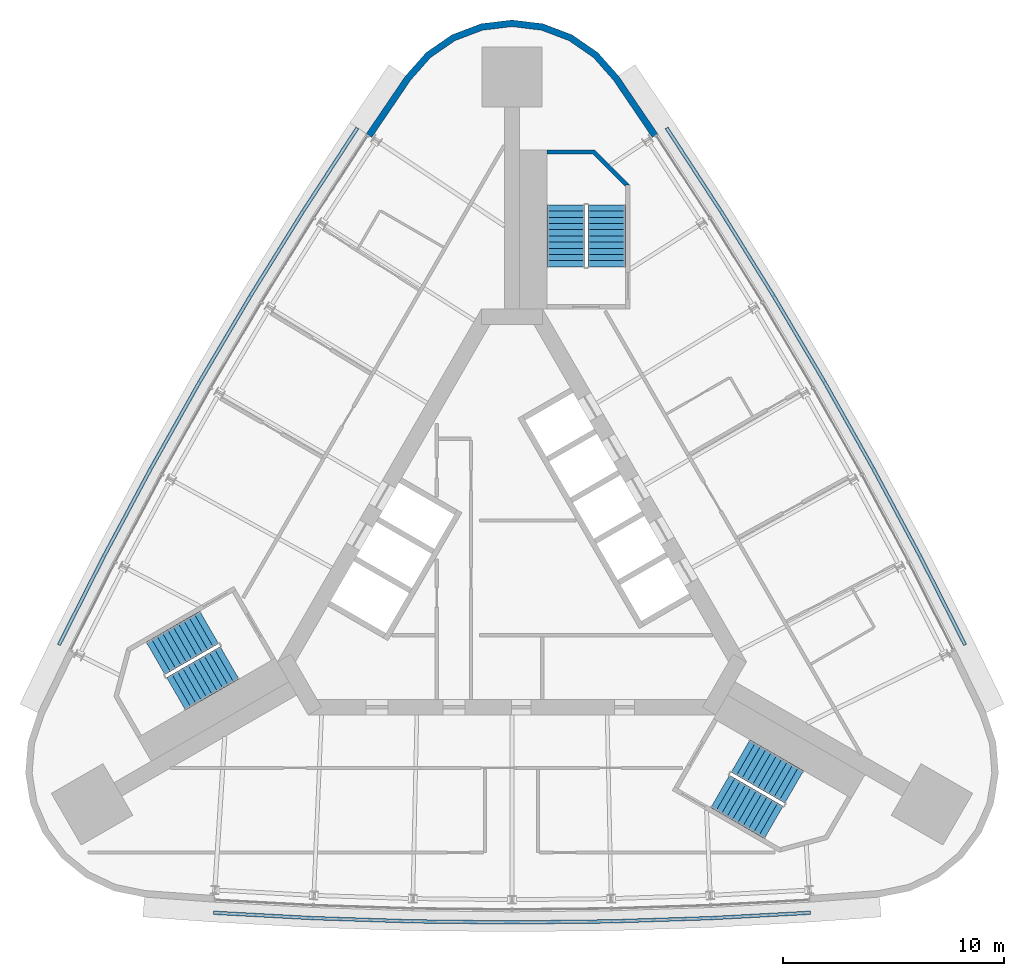
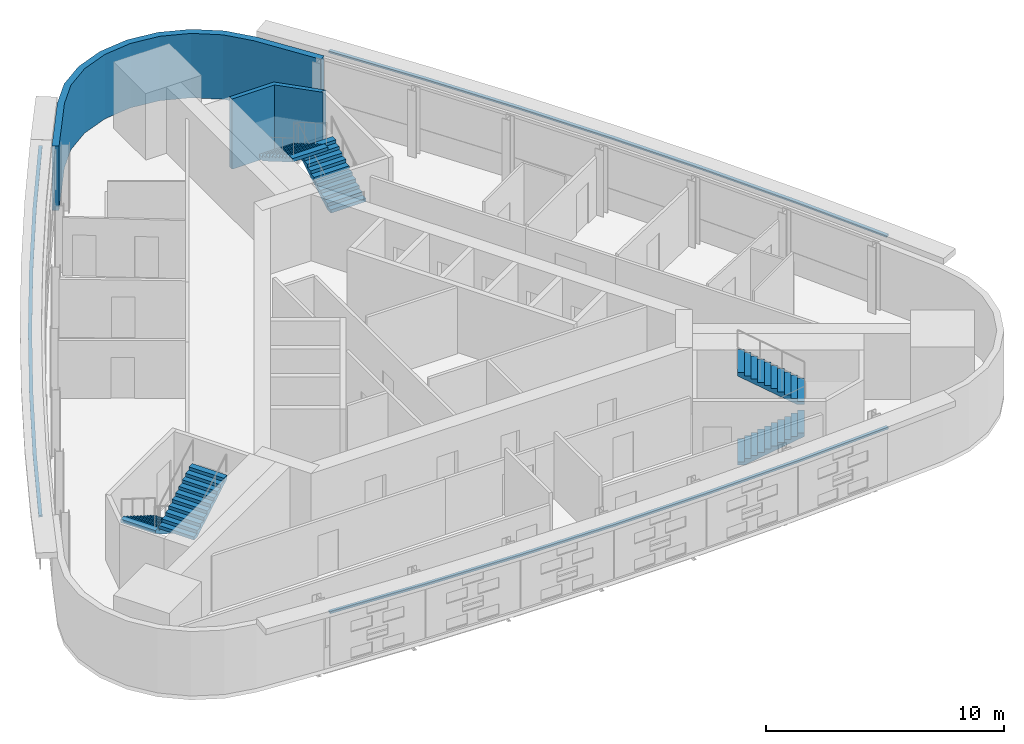
# One storey, part 9 of 10: 6 stair flights, 3 discrete accessories, 2 walls, 3 elements without a shape of their own.
"""IFC4 building model written with IfcOpenShell, lengths in metres."""

import ifcopenshell
import ifcopenshell.guid

model = None  # the IFC model being written
_history = None  # IfcOwnerHistory: only IFC2X3 demands one
_inside = {}  # id of a spatial element -> (the spatial element, [elements in it])
_under = {}  # id of a project, library or spatial element -> (it, [spatial elements below it])
_declared = {}  # id of a project -> (the project, [libraries it declares])
_typed = {}  # id of a type object -> (the type object, [elements of that type])
_made_of = {}  # id of a material, layer set ... -> (it, [elements and type objects made of it])


def new_model(schema):
    """Start an empty IFC model of exactly this schema.

    Asked for "IFC4X3", IfcOpenShell would pick the latest addendum, in which some entities
    have other attributes; the version numbers below select the first issue.
    IFC2X3 requires an IfcOwnerHistory on every rooted entity: one is made here for all.
    """
    global model, _history
    if schema == "IFC4X3":
        model = ifcopenshell.file(schema_version=(4, 3, 0, 0))
    else:
        model = ifcopenshell.file(schema=schema)
    _inside.clear()
    _under.clear()
    _declared.clear()
    _typed.clear()
    _made_of.clear()
    _history = None
    if model.schema == "IFC2X3":
        org = make("IfcOrganization", Name="unknown")
        user = make(
            "IfcPersonAndOrganization",
            ThePerson=make("IfcPerson", FamilyName="unknown"),
            TheOrganization=org,
        )
        app = make(
            "IfcApplication",
            ApplicationDeveloper=org,
            Version="unknown",
            ApplicationFullName="unknown",
            ApplicationIdentifier="unknown",
        )
        _history = make(
            "IfcOwnerHistory",
            OwningUser=user,
            OwningApplication=app,
            ChangeAction="ADDED",
            CreationDate=0,
        )
    return model


def make(cls, **values):
    """One entity of the class cls with the attributes given. An attribute that is None is left unset."""
    return model.create_entity(
        cls, **{name: value for name, value in values.items() if value is not None}
    )


def rooted(cls, **values):
    """An entity with a GlobalId (a new one), such as an element, a storey or a relation."""
    return make(cls, GlobalId=ifcopenshell.guid.new(), OwnerHistory=_history, **values)


def si_unit(unit_type, name, prefix=None):
    """IfcSIUnit, for example si_unit("LENGTHUNIT", "METRE", prefix="MILLI")."""
    return make("IfcSIUnit", UnitType=unit_type, Prefix=prefix, Name=name)


def assignment(units):
    """IfcUnitAssignment: the units of a project."""
    return None if units is None else make("IfcUnitAssignment", Units=units)


def point(xyz):
    """IfcCartesianPoint."""
    return None if xyz is None else make("IfcCartesianPoint", Coordinates=xyz)


def direction(xyz):
    """IfcDirection."""
    return None if xyz is None else make("IfcDirection", DirectionRatios=xyz)


def frame(location, z_axis=None, x_axis=None):
    """IfcAxis2Placement3D, a coordinate frame: its origin and axes. An axis left out is left unset."""
    return make(
        "IfcAxis2Placement3D",
        Location=point(location),
        Axis=direction(z_axis),
        RefDirection=direction(x_axis),
    )


def origin():
    """The frame at (0, 0, 0) with its axes left unset."""
    return frame((0.0, 0.0, 0.0))


def place(relative_to, where):
    """IfcLocalPlacement: puts the frame where relative to a parent placement (None: the world)."""
    return make(
        "IfcLocalPlacement", PlacementRelTo=relative_to, RelativePlacement=where
    )


def context(
    kind, dimensions, precision=None, world=None, true_north=None, identifier=None
):
    """IfcGeometricRepresentationContext, for example the 3D "Model" context."""
    return make(
        "IfcGeometricRepresentationContext",
        ContextIdentifier=identifier,
        ContextType=kind,
        CoordinateSpaceDimension=dimensions,
        Precision=precision,
        WorldCoordinateSystem=world,
        TrueNorth=true_north,
    )


def subcontext(parent, identifier, kind, view, scale=None):
    """IfcGeometricRepresentationSubContext, for example "Body" below "Model"."""
    return make(
        "IfcGeometricRepresentationSubContext",
        ContextIdentifier=identifier,
        ContextType=kind,
        ParentContext=parent,
        TargetScale=scale,
        TargetView=view,
    )


def project(units=None, contexts=None):
    """IfcProject with its units and contexts."""
    return rooted(
        "IfcProject",
        Name="project",
        RepresentationContexts=contexts,
        UnitsInContext=assignment(units),
    )


def spatial(cls, under=None, at=None, **own):
    """A site, building, storey or space (cls), placed at a placement, below another one or the project."""
    s = rooted(cls, ObjectPlacement=at, **own)
    if under is not None:
        _under.setdefault(under.id(), (under, []))[1].append(s)
    return s


def polyline(points):
    """IfcPolyline through the points."""
    return make("IfcPolyline", Points=[point(p) for p in points])


def outline(outer, holes=None, kind="AREA"):
    """IfcArbitraryClosedProfileDef: a profile drawn as a closed curve; with holes, ...WithVoids."""
    if holes is None:
        return make("IfcArbitraryClosedProfileDef", ProfileType=kind, OuterCurve=outer)
    return make(
        "IfcArbitraryProfileDefWithVoids",
        ProfileType=kind,
        OuterCurve=outer,
        InnerCurves=holes,
    )


def extrude(swept, where, along, depth):
    """IfcExtrudedAreaSolid: the profile swept, set in the frame where, extruded along a direction by depth."""
    return make(
        "IfcExtrudedAreaSolid",
        SweptArea=swept,
        Position=where,
        ExtrudedDirection=direction(along),
        Depth=depth,
    )


def shape(context_of_items, identifier, shape_type, items):
    """IfcShapeRepresentation: the items that make up one representation, for example the "Body"."""
    return make(
        "IfcShapeRepresentation",
        ContextOfItems=context_of_items,
        RepresentationIdentifier=identifier,
        RepresentationType=shape_type,
        Items=items,
    )


def material(Name=None, Category=None):
    """IfcMaterial."""
    return make("IfcMaterial", Name=Name, Category=Category)


def layer(
    of_material, thickness, ventilated=None, Name=None, Category=None, Priority=None
):
    """IfcMaterialLayer: one layer of a wall or slab, of a material (None: an air gap)."""
    return make(
        "IfcMaterialLayer",
        Material=of_material,
        LayerThickness=thickness,
        IsVentilated=ventilated,
        Name=Name,
        Category=Category,
        Priority=Priority,
    )


def layer_set(layers, Name=None):
    """IfcMaterialLayerSet."""
    return make("IfcMaterialLayerSet", MaterialLayers=layers, LayerSetName=Name)


def made_of(thing, what):
    """Note that an element or type object is made of a material, layer set ...; save() writes the relation."""
    if what is not None:
        _made_of.setdefault(what.id(), (what, []))[1].append(thing)
    return thing


def type_object(cls, material=None, **own):
    """A type object (cls), such as IfcWallType, which elements share."""
    return made_of(rooted(cls, **own), material)


def element(
    cls,
    number,
    at=None,
    inside=None,
    cuts=None,
    type_object=None,
    material=None,
    context=None,
    identifier="Body",
    shape_type=None,
    held_by="IfcProductDefinitionShape",
    body=None,
    shapes=None,
    **own,
):
    """One element of the class cls, such as IfcWall. Its Tag is "e" and its number.

    at: its placement. inside: the storey or other place that contains it. cuts: it is an
    opening in that element (IfcRelVoidsElement). A single representation is given by context,
    identifier, shape_type and body (its items); several are given by shapes. held_by: the class
    of the entity that holds the representations. save() writes the other relations.
    """
    e = rooted(cls, Tag="e%d" % number, ObjectPlacement=at, **own)
    if body is not None:
        shapes = [shape(context, identifier, shape_type, body)]
    if shapes is not None:
        e.Representation = make(held_by, Representations=shapes)
    if inside is not None:
        _inside.setdefault(inside.id(), (inside, []))[1].append(e)
    if cuts is not None:
        rooted(
            "IfcRelVoidsElement", RelatingBuildingElement=cuts, RelatedOpeningElement=e
        )
    if type_object is not None:
        _typed.setdefault(type_object.id(), (type_object, []))[1].append(e)
    return made_of(e, material)


def aggregate(whole, parts):
    """IfcRelAggregates: a whole, such as a stair, and the parts it consists of."""
    return rooted("IfcRelAggregates", RelatingObject=whole, RelatedObjects=parts)


def save(model, path):
    """Write the relations noted so far, then the file.

    IfcRelAggregates (storeys below a building ...), IfcRelContainedInSpatialStructure (elements
    in a storey), IfcRelDefinesByType, IfcRelAssociatesMaterial and IfcRelDeclares: one each for
    every whole, place, type object, material and project.
    """
    for whole, parts in _under.values():
        aggregate(whole, parts)
    for where, things in _inside.values():
        rooted(
            "IfcRelContainedInSpatialStructure",
            RelatedElements=things,
            RelatingStructure=where,
        )
    for kind, things in _typed.values():
        rooted("IfcRelDefinesByType", RelatedObjects=things, RelatingType=kind)
    for what, things in _made_of.values():
        rooted("IfcRelAssociatesMaterial", RelatedObjects=things, RelatingMaterial=what)
    for by, libraries in _declared.values():
        rooted("IfcRelDeclares", RelatingContext=by, RelatedDefinitions=libraries)
    model.write(path)


model = new_model("IFC4")

# Units and contexts
model_context = context("Model", 3, precision=1e-05, world=origin(), true_north=direction((0.0, 1.0)))
body_context = subcontext(model_context, "Body", "Model", "MODEL_VIEW")
ifc_project = project(units=[si_unit("LENGTHUNIT", "METRE"), si_unit("AREAUNIT", "SQUARE_METRE"), si_unit("VOLUMEUNIT", "CUBIC_METRE"), si_unit("PLANEANGLEUNIT", "RADIAN"), si_unit("MASSUNIT", "GRAM", prefix="KILO")], contexts=[model_context])

# Site, building, storey
site_placement = place(None, origin())
site = spatial("IfcSite", under=ifc_project, at=site_placement, CompositionType="ELEMENT")
building_placement = place(site_placement, origin())
building = spatial("IfcBuilding", under=site, at=building_placement, Name="Noor Cloister Tower", CompositionType="ELEMENT")
storey_placement = place(building_placement, frame((0.0, 0.0, 199.5)))
storey = spatial("IfcBuildingStorey", under=building, at=storey_placement, Name="L51", CompositionType="ELEMENT", Elevation=199.5)

# Walls
ifc_material_1 = material(Name="Limestone", Category="masonry")
ifc_layer = layer(ifc_material_1, 0.300048828125)
ifc_layer_set = layer_set([ifc_layer], Name="Limestone cladding 300")
wall_type_1 = type_object("IfcWallType", Name="Limestone cladding 300", PredefinedType="NOTDEFINED", material=ifc_layer_set)
wall_1_placement = place(storey_placement, origin())
element("IfcWall", 1, at=wall_1_placement, inside=storey, type_object=wall_type_1, Name="Limestone pier cladding L51 3.1", PredefinedType="NOTDEFINED", context=body_context, shape_type="SweptSolid", body=[
    extrude(outline(polyline([(6.59521484375, 19.38525390625), (4.82177734375, 21.9990234375), (3.88525390625, 23.056884765625), (2.72314453125, 23.859619140625), (1.40234375, 24.36083984375), (0.0, 24.531005859375), (-1.40234375, 24.36083984375), (-2.72314453125, 23.859619140625), (-3.88525390625, 23.056884765625), (-4.82177734375, 21.9990234375), (-6.59521484375, 19.38525390625), (-6.346923828125, 19.216796875), (-4.584228515625, 21.814697265625), (-3.684814453125, 22.830810546875), (-2.58251953125, 23.592041015625), (-1.329833984375, 24.0673828125), (0.0, 24.22900390625), (1.329833984375, 24.0673828125), (2.58251953125, 23.592041015625), (3.684814453125, 22.830810546875), (4.584228515625, 21.814697265625), (6.346923828125, 19.216796875), (6.59521484375, 19.38525390625)])), origin(), (0.0, 0.0, 1.0), 3.300048828125),
])
ifc_material_2 = material(Name="Concrete C70/85", Category="concrete")
wall_type_2 = type_object("IfcWallType", Name="Stair far end wall C70/85", PredefinedType="SHEAR", material=ifc_material_2)
wall_2_placement = place(storey_placement, frame((0.0, 0.0, -0.199951171875)))
element("IfcWall", 2, at=wall_2_placement, inside=storey, type_object=wall_type_2, Name="Stair enclosure wall ST1 L51 far end", PredefinedType="SHEAR", context=body_context, shape_type="SweptSolid", body=[
    extrude(outline(polyline([(5.335693359375, 17.056396484375), (3.735595703125, 18.656494140625), (1.585693359375, 18.656494140625), (1.585693359375, 18.456298828125), (3.65283203125, 18.456298828125), (5.135498046875, 16.9736328125), (5.135498046875, 17.056396484375), (5.135498046875, 17.056396484375), (5.135498046875, 17.056396484375), (5.135498046875, 17.056396484375), (5.135498046875, 17.056396484375), (5.135498046875, 17.056396484375), (5.135498046875, 17.056396484375), (5.135498046875, 17.056396484375), (5.135498046875, 17.056396484375), (5.135498046875, 17.056396484375), (5.135498046875, 17.056396484375), (5.135498046875, 17.056396484375), (5.135498046875, 17.056396484375), (5.135498046875, 17.056396484375), (5.135498046875, 17.056396484375), (5.135498046875, 17.056396484375), (5.135498046875, 17.056396484375), (5.335693359375, 17.056396484375)])), origin(), (0.0, 0.0, 1.0), 3.599853515625),
])

# Stair, stair flights
ifc_material_3 = material(Name="Concrete C40/50", Category="concrete")
stair_type = type_object("IfcStairType", Name="Exit stair 22 risers", PredefinedType="HALF_TURN_STAIR", material=ifc_material_3)
stair_1_placement = place(storey_placement, origin())
stair_1 = element("IfcStair", 3, at=stair_1_placement, inside=storey, type_object=stair_type, Name="Exit stair ST1 L51", PredefinedType="HALF_TURN_STAIR")
ifc_material_4 = material(Name="Concrete C40/50", Category="concrete")
stair_flight_type = type_object("IfcStairFlightType", Name="Exit stair flight", PredefinedType="STRAIGHT", material=ifc_material_4)
stair_flight_1_placement = place(storey_placement, frame((4.28564453125, 13.3564453125, 0.0), z_axis=(0.0, 0.0, 1.0), x_axis=(0.0, 1.0, 0.0)))
stair_flight_1 = element("IfcStairFlight", 4, at=stair_flight_1_placement, type_object=stair_flight_type, Name="ST1 flight 1", NumberOfRisers=11, NumberOfTreads=10, PredefinedType="STRAIGHT", RiserHeight=0.163636364, TreadLength=0.28, context=body_context, shape_type="SweptSolid", body=[
    extrude(outline(polyline([(0.0, 0.0), (0.0, 0.16357421875), (0.280029296875, 0.16357421875), (0.280029296875, 0.327392578125), (0.56005859375, 0.327392578125), (0.56005859375, 0.490966796875), (0.840087890625, 0.490966796875), (0.840087890625, 0.654541015625), (1.1201171875, 0.654541015625), (1.1201171875, 0.818115234375), (1.39990234375, 0.818115234375), (1.39990234375, 0.98193359375), (1.679931640625, 0.98193359375), (1.679931640625, 1.1455078125), (1.9599609375, 1.1455078125), (1.9599609375, 1.30908203125), (2.239990234375, 1.30908203125), (2.239990234375, 1.47265625), (2.52001953125, 1.47265625), (2.52001953125, 1.636474609375), (2.800048828125, 1.636474609375), (2.800048828125, 1.800048828125), (2.800048828125, 1.462646484375), (0.297119140625, 0.0), (0.0, 0.0)])), frame((0.0, 0.85009765625, 0.0), z_axis=(0.0, -1.0, 0.0), x_axis=(1.0, 0.0, 0.0)), (0.0, 0.0, 1.0), 1.699951171875),
])
stair_flight_2_placement = place(storey_placement, frame((2.435546875, 16.156494140625, 1.800048828125), z_axis=(0.0, 0.0, 1.0), x_axis=(0.0, -1.0, 0.0)))
stair_flight_2 = element("IfcStairFlight", 5, at=stair_flight_2_placement, type_object=stair_flight_type, Name="ST1 flight 2", NumberOfRisers=11, NumberOfTreads=10, PredefinedType="STRAIGHT", RiserHeight=0.163636364, TreadLength=0.28, context=body_context, shape_type="SweptSolid", body=[
    extrude(outline(polyline([(0.0, 0.0), (0.0, 0.16357421875), (0.280029296875, 0.16357421875), (0.280029296875, 0.327392578125), (0.56005859375, 0.327392578125), (0.56005859375, 0.490966796875), (0.840087890625, 0.490966796875), (0.840087890625, 0.654541015625), (1.1201171875, 0.654541015625), (1.1201171875, 0.818115234375), (1.39990234375, 0.818115234375), (1.39990234375, 0.98193359375), (1.679931640625, 0.98193359375), (1.679931640625, 1.1455078125), (1.9599609375, 1.1455078125), (1.9599609375, 1.30908203125), (2.239990234375, 1.30908203125), (2.239990234375, 1.47265625), (2.52001953125, 1.47265625), (2.52001953125, 1.636474609375), (2.800048828125, 1.636474609375), (2.800048828125, 1.800048828125), (2.800048828125, 1.462646484375), (0.297119140625, 0.0), (0.0, 0.0)])), frame((0.0, 0.85009765625, 0.0), z_axis=(0.0, -1.0, 0.0), x_axis=(1.0, 0.0, 0.0)), (0.0, 0.0, 1.0), 1.699951171875),
])
aggregate(stair_1, [stair_flight_1, stair_flight_2])

stair_2_placement = place(storey_placement, origin())
stair_2 = element("IfcStair", 6, at=stair_2_placement, inside=storey, type_object=stair_type, Name="Exit stair ST2 L51", PredefinedType="HALF_TURN_STAIR")
stair_flight_3_placement = place(storey_placement, frame((-13.709716796875, -2.966796875, 0.0), z_axis=(0.0, 0.0, 1.0), x_axis=(-0.866025403784, -0.5, 0.0)))
stair_flight_3 = element("IfcStairFlight", 7, at=stair_flight_3_placement, type_object=stair_flight_type, Name="ST2 flight 1", NumberOfRisers=11, NumberOfTreads=10, PredefinedType="STRAIGHT", RiserHeight=0.163636364, TreadLength=0.28, context=body_context, shape_type="SweptSolid", body=[
    extrude(outline(polyline([(0.0, 0.0), (0.0, 0.16357421875), (0.280029296875, 0.16357421875), (0.280029296875, 0.327392578125), (0.56005859375, 0.327392578125), (0.56005859375, 0.490966796875), (0.840087890625, 0.490966796875), (0.840087890625, 0.654541015625), (1.1201171875, 0.654541015625), (1.1201171875, 0.818115234375), (1.39990234375, 0.818115234375), (1.39990234375, 0.98193359375), (1.679931640625, 0.98193359375), (1.679931640625, 1.1455078125), (1.9599609375, 1.1455078125), (1.9599609375, 1.30908203125), (2.239990234375, 1.30908203125), (2.239990234375, 1.47265625), (2.52001953125, 1.47265625), (2.52001953125, 1.636474609375), (2.800048828125, 1.636474609375), (2.800048828125, 1.800048828125), (2.800048828125, 1.462646484375), (0.297119140625, 0.0), (0.0, 0.0)])), frame((0.0, 0.85009765625, 0.0), z_axis=(0.0, -1.0, 0.0), x_axis=(1.0, 0.0, 0.0)), (0.0, 0.0, 1.0), 1.699951171875),
])
stair_flight_4_placement = place(storey_placement, frame((-15.209716796875, -5.968994140625, 1.800048828125), z_axis=(0.0, 0.0, 1.0), x_axis=(0.866025403784, 0.5, 0.0)))
stair_flight_4 = element("IfcStairFlight", 8, at=stair_flight_4_placement, type_object=stair_flight_type, Name="ST2 flight 2", NumberOfRisers=11, NumberOfTreads=10, PredefinedType="STRAIGHT", RiserHeight=0.163636364, TreadLength=0.28, context=body_context, shape_type="SweptSolid", body=[
    extrude(outline(polyline([(0.0, 0.0), (0.0, 0.16357421875), (0.280029296875, 0.16357421875), (0.280029296875, 0.327392578125), (0.56005859375, 0.327392578125), (0.56005859375, 0.490966796875), (0.840087890625, 0.490966796875), (0.840087890625, 0.654541015625), (1.1201171875, 0.654541015625), (1.1201171875, 0.818115234375), (1.39990234375, 0.818115234375), (1.39990234375, 0.98193359375), (1.679931640625, 0.98193359375), (1.679931640625, 1.1455078125), (1.9599609375, 1.1455078125), (1.9599609375, 1.30908203125), (2.239990234375, 1.30908203125), (2.239990234375, 1.47265625), (2.52001953125, 1.47265625), (2.52001953125, 1.636474609375), (2.800048828125, 1.636474609375), (2.800048828125, 1.800048828125), (2.800048828125, 1.462646484375), (0.297119140625, 0.0), (0.0, 0.0)])), frame((0.0, 0.85009765625, 0.0), z_axis=(0.0, -1.0, 0.0), x_axis=(1.0, 0.0, 0.0)), (0.0, 0.0, 1.0), 1.699951171875),
])
aggregate(stair_2, [stair_flight_3, stair_flight_4])

stair_3_placement = place(storey_placement, origin())
stair_3 = element("IfcStair", 9, at=stair_3_placement, inside=storey, type_object=stair_type, Name="Exit stair ST3 L51", PredefinedType="HALF_TURN_STAIR")
stair_flight_5_placement = place(storey_placement, frame((9.424072265625, -10.3896484375, 0.0), z_axis=(0.0, 0.0, 1.0), x_axis=(0.866025403784, -0.5, 0.0)))
stair_flight_5 = element("IfcStairFlight", 10, at=stair_flight_5_placement, type_object=stair_flight_type, Name="ST3 flight 1", NumberOfRisers=11, NumberOfTreads=10, PredefinedType="STRAIGHT", RiserHeight=0.163636364, TreadLength=0.28, context=body_context, shape_type="SweptSolid", body=[
    extrude(outline(polyline([(0.0, 0.0), (0.0, 0.16357421875), (0.280029296875, 0.16357421875), (0.280029296875, 0.327392578125), (0.56005859375, 0.327392578125), (0.56005859375, 0.490966796875), (0.840087890625, 0.490966796875), (0.840087890625, 0.654541015625), (1.1201171875, 0.654541015625), (1.1201171875, 0.818115234375), (1.39990234375, 0.818115234375), (1.39990234375, 0.98193359375), (1.679931640625, 0.98193359375), (1.679931640625, 1.1455078125), (1.9599609375, 1.1455078125), (1.9599609375, 1.30908203125), (2.239990234375, 1.30908203125), (2.239990234375, 1.47265625), (2.52001953125, 1.47265625), (2.52001953125, 1.636474609375), (2.800048828125, 1.636474609375), (2.800048828125, 1.800048828125), (2.800048828125, 1.462646484375), (0.297119140625, 0.0), (0.0, 0.0)])), frame((0.0, 0.85009765625, 0.0), z_axis=(0.0, -1.0, 0.0), x_axis=(1.0, 0.0, 0.0)), (0.0, 0.0, 1.0), 1.699951171875),
])
stair_flight_6_placement = place(storey_placement, frame((12.77392578125, -10.1875, 1.800048828125), z_axis=(0.0, 0.0, 1.0), x_axis=(-0.866025403784, 0.5, 0.0)))
stair_flight_6 = element("IfcStairFlight", 11, at=stair_flight_6_placement, type_object=stair_flight_type, Name="ST3 flight 2", NumberOfRisers=11, NumberOfTreads=10, PredefinedType="STRAIGHT", RiserHeight=0.163636364, TreadLength=0.28, context=body_context, shape_type="SweptSolid", body=[
    extrude(outline(polyline([(0.0, 0.0), (0.0, 0.16357421875), (0.280029296875, 0.16357421875), (0.280029296875, 0.327392578125), (0.56005859375, 0.327392578125), (0.56005859375, 0.490966796875), (0.840087890625, 0.490966796875), (0.840087890625, 0.654541015625), (1.1201171875, 0.654541015625), (1.1201171875, 0.818115234375), (1.39990234375, 0.818115234375), (1.39990234375, 0.98193359375), (1.679931640625, 0.98193359375), (1.679931640625, 1.1455078125), (1.9599609375, 1.1455078125), (1.9599609375, 1.30908203125), (2.239990234375, 1.30908203125), (2.239990234375, 1.47265625), (2.52001953125, 1.47265625), (2.52001953125, 1.636474609375), (2.800048828125, 1.636474609375), (2.800048828125, 1.800048828125), (2.800048828125, 1.462646484375), (0.297119140625, 0.0), (0.0, 0.0)])), frame((0.0, 0.85009765625, 0.0), z_axis=(0.0, -1.0, 0.0), x_axis=(1.0, 0.0, 0.0)), (0.0, 0.0, 1.0), 1.699951171875),
])
aggregate(stair_3, [stair_flight_5, stair_flight_6])

# Discrete accessories
ifc_material_5 = material(Name="Stainless steel grade 316", Category="steel")
discrete_accessory_type = type_object("IfcDiscreteAccessoryType", Name="Stainless hanger rail", PredefinedType="BRACKET", material=ifc_material_5)
discrete_accessory_1_placement = place(storey_placement, frame((0.0, 0.0, 3.199951171875)))
element("IfcDiscreteAccessory", 12, at=discrete_accessory_1_placement, inside=storey, type_object=discrete_accessory_type, Name="Hanger rail L51", PredefinedType="BRACKET", context=body_context, shape_type="SweptSolid", body=[
    extrude(outline(polyline([(-7.064208984375, 19.69091796875), (-9.52490234375, 15.916259765625), (-11.906494140625, 12.083984375), (-14.204833984375, 8.201171875), (-16.41845703125, 4.269287109375), (-18.54638671875, 0.290771484375), (-20.5849609375, -3.727783203125), (-20.4423828125, -3.800048828125), (-18.404541015625, 0.216796875), (-16.278076171875, 4.1923828125), (-14.066162109375, 8.12109375), (-11.769775390625, 12.0009765625), (-9.389892578125, 15.830322265625), (-6.93017578125, 19.603759765625), (-7.064208984375, 19.69091796875)])), origin(), (0.0, 0.0, 1.0), 0.10009765625),
])
discrete_accessory_2_placement = place(storey_placement, frame((0.0, 0.0, 3.199951171875)))
element("IfcDiscreteAccessory", 13, at=discrete_accessory_2_placement, inside=storey, type_object=discrete_accessory_type, Name="Hanger rail L51", PredefinedType="BRACKET", context=body_context, shape_type="SweptSolid", body=[
    extrude(outline(polyline([(-13.520751953125, -15.96337890625), (-9.021484375, -16.20703125), (-4.51171875, -16.353515625), (0.0, -16.40234375), (4.51171875, -16.353515625), (9.021484375, -16.20703125), (13.520751953125, -15.96337890625), (13.51220703125, -15.803466796875), (9.014404296875, -16.047119140625), (4.50830078125, -16.193359375), (0.0, -16.2421875), (-4.50830078125, -16.193359375), (-9.014404296875, -16.047119140625), (-13.51220703125, -15.803466796875), (-13.520751953125, -15.96337890625)])), origin(), (0.0, 0.0, 1.0), 0.10009765625),
])
discrete_accessory_3_placement = place(storey_placement, frame((0.0, 0.0, 3.199951171875)))
element("IfcDiscreteAccessory", 14, at=discrete_accessory_3_placement, inside=storey, type_object=discrete_accessory_type, Name="Hanger rail L51", PredefinedType="BRACKET", context=body_context, shape_type="SweptSolid", body=[
    extrude(outline(polyline([(20.5849609375, -3.727783203125), (18.54638671875, 0.290771484375), (16.41845703125, 4.269287109375), (14.204833984375, 8.201171875), (11.906494140625, 12.083984375), (9.52490234375, 15.916259765625), (7.064208984375, 19.69091796875), (6.93017578125, 19.603759765625), (9.389892578125, 15.830322265625), (11.769775390625, 12.0009765625), (14.066162109375, 8.12109375), (16.278076171875, 4.1923828125), (18.404541015625, 0.216796875), (20.4423828125, -3.800048828125), (20.5849609375, -3.727783203125)])), origin(), (0.0, 0.0, 1.0), 0.10009765625),
])

save(model, "model.ifc")
